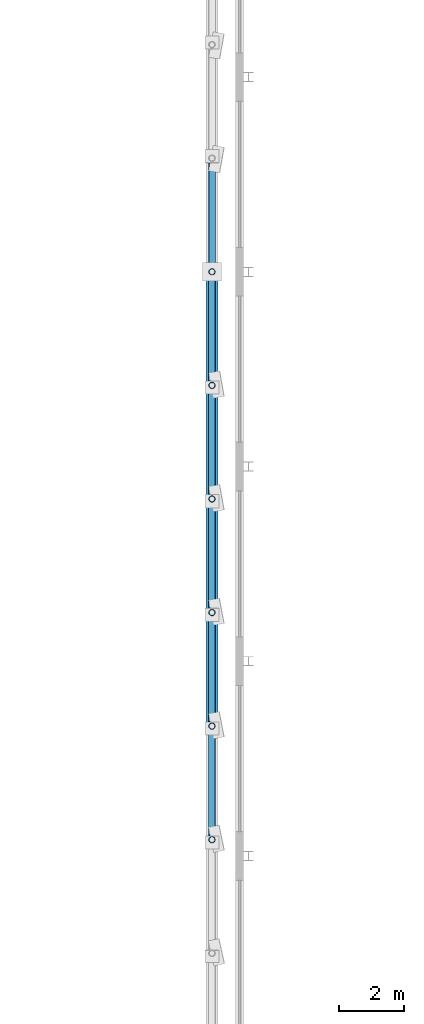
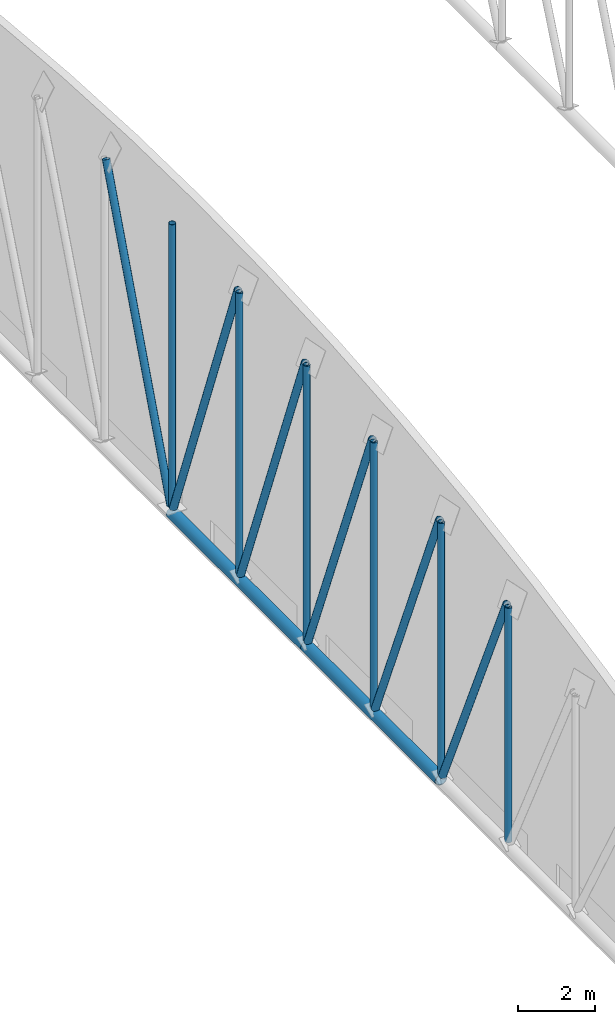
# One storey, part 57 of 196: 14 members.
"""IFC4 building model written with IfcOpenShell, lengths in metres."""

from ifc_helpers import new_model, si_unit, direction, frame, origin, origin_2d, place, context, subcontext, project, spatial, hollow_circle, extrude, material, material_profile, profile_set, type_object, element, save


model = new_model("IFC4")

# Units and contexts
model_context = context("Model", 3, precision=1e-05, world=origin(), true_north=direction((0.0, 1.0)))
body_context = subcontext(model_context, "Body", "Model", "MODEL_VIEW")
ifc_project = project(units=[si_unit("LENGTHUNIT", "METRE"), si_unit("AREAUNIT", "SQUARE_METRE"), si_unit("VOLUMEUNIT", "CUBIC_METRE"), si_unit("PLANEANGLEUNIT", "RADIAN"), si_unit("MASSUNIT", "GRAM", prefix="KILO")], contexts=[model_context])

# Site, building, storey
site_placement = place(None, origin())
site = spatial("IfcSite", under=ifc_project, at=site_placement, CompositionType="ELEMENT")
building_placement = place(site_placement, origin())
building = spatial("IfcBuilding", under=site, at=building_placement, Name="Okhra Congress Centre", CompositionType="ELEMENT")
storey_placement = place(building_placement, frame((0.0, 0.0, 12.0)))
storey = spatial("IfcBuildingStorey", under=building, at=storey_placement, Name="L02", CompositionType="ELEMENT", Elevation=12.0)

# Members
ifc_material = material(Name="Steel S355J2H", Category="steel")
ifc_material_profile_1 = material_profile(ifc_material, hollow_circle(Radius=0.096923828125, WallThickness=0.008056640625, at=origin_2d()), Name="CHS 193.7x8.0")
ifc_profile_set_1 = profile_set([ifc_material_profile_1], Name="Steel S355J2H")
member_type_1 = type_object("IfcMemberType", Name="CHS 193.7x8.0", PredefinedType="POST", material=ifc_profile_set_1)
member_1_placement = place(storey_placement, frame((28.0, 156.5, 1.577880859375), z_axis=(0.0, 0.0, 1.0), x_axis=(1.0, 0.0, 0.0)))
element("IfcMember", 1, at=member_1_placement, inside=storey, type_object=member_type_1, Name="EH.MEM.L02.T1-VER-07", PredefinedType="POST", context=body_context, shape_type="SweptSolid", body=[
    extrude(hollow_circle(Radius=0.096923828125, WallThickness=0.008056640625, at=origin_2d()), origin(), (0.0, 0.0, 1.0), 7.448974609375),
])
member_2_placement = place(storey_placement, frame((28.0, 160.0, 1.577880859375), z_axis=(0.0, 0.0, 1.0), x_axis=(1.0, 0.0, 0.0)))
element("IfcMember", 2, at=member_2_placement, inside=storey, type_object=member_type_1, Name="EH.MEM.L02.T1-VER-08", PredefinedType="POST", context=body_context, shape_type="SweptSolid", body=[
    extrude(hollow_circle(Radius=0.096923828125, WallThickness=0.008056640625, at=origin_2d()), origin(), (0.0, 0.0, 1.0), 8.01708984375),
])
member_3_placement = place(storey_placement, frame((28.0, 163.5, 1.577880859375), z_axis=(0.0, 0.0, 1.0), x_axis=(1.0, 0.0, 0.0)))
element("IfcMember", 3, at=member_3_placement, inside=storey, type_object=member_type_1, Name="EH.MEM.L02.T1-VER-09", PredefinedType="POST", context=body_context, shape_type="SweptSolid", body=[
    extrude(hollow_circle(Radius=0.096923828125, WallThickness=0.008056640625, at=origin_2d()), origin(), (0.0, 0.0, 1.0), 8.456787109375),
])
member_4_placement = place(storey_placement, frame((28.0, 167.0, 1.577880859375), z_axis=(0.0, 0.0, 1.0), x_axis=(1.0, 0.0, 0.0)))
element("IfcMember", 4, at=member_4_placement, inside=storey, type_object=member_type_1, Name="EH.MEM.L02.T1-VER-10", PredefinedType="POST", context=body_context, shape_type="SweptSolid", body=[
    extrude(hollow_circle(Radius=0.096923828125, WallThickness=0.008056640625, at=origin_2d()), origin(), (0.0, 0.0, 1.0), 8.76953125),
])
member_5_placement = place(storey_placement, frame((28.0, 170.5, 1.577880859375), z_axis=(0.0, 0.0, 1.0), x_axis=(1.0, 0.0, 0.0)))
element("IfcMember", 5, at=member_5_placement, inside=storey, type_object=member_type_1, Name="EH.MEM.L02.T1-VER-11", PredefinedType="POST", context=body_context, shape_type="SweptSolid", body=[
    extrude(hollow_circle(Radius=0.096923828125, WallThickness=0.008056640625, at=origin_2d()), origin(), (0.0, 0.0, 1.0), 8.95654296875),
])
member_6_placement = place(storey_placement, frame((28.0, 174.0, 1.577880859375), z_axis=(0.0, 0.0, 1.0), x_axis=(1.0, 0.0, 0.0)))
element("IfcMember", 6, at=member_6_placement, inside=storey, type_object=member_type_1, Name="EH.MEM.L02.T1-VER-12", PredefinedType="POST", context=body_context, shape_type="SweptSolid", body=[
    extrude(hollow_circle(Radius=0.096923828125, WallThickness=0.008056640625, at=origin_2d()), origin(), (0.0, 0.0, 1.0), 9.018798828125),
])
ifc_material_profile_2 = material_profile(ifc_material, hollow_circle(Radius=0.109619140625, WallThickness=0.010009765625, at=origin_2d()), Name="CHS 219.1x10.0")
ifc_profile_set_2 = profile_set([ifc_material_profile_2], Name="Steel S355J2H")
member_type_2 = type_object("IfcMemberType", Name="CHS 219.1x10.0", PredefinedType="BRACE", material=ifc_profile_set_2)
member_7_placement = place(storey_placement, frame((28.0, 156.57763671875, 9.0595703125), z_axis=(0.0, 0.407953800593, -0.913002572057), x_axis=(-1.0, 0.0, 0.0)))
element("IfcMember", 7, at=member_7_placement, inside=storey, type_object=member_type_2, Name="EH.MEM.L02.T1-DIA-07", PredefinedType="BRACE", context=body_context, shape_type="SweptSolid", body=[
    extrude(hollow_circle(Radius=0.109619140625, WallThickness=0.010009765625, at=origin_2d()), origin(), (0.0, 0.0, 1.0), 8.194580078125),
])
member_8_placement = place(storey_placement, frame((28.0, 160.073486328125, 9.6240234375), z_axis=(0.0, 0.384613395842, -0.92307775173), x_axis=(-1.0, 0.0, 0.0)))
element("IfcMember", 8, at=member_8_placement, inside=storey, type_object=member_type_2, Name="EH.MEM.L02.T1-DIA-08", PredefinedType="BRACE", context=body_context, shape_type="SweptSolid", body=[
    extrude(hollow_circle(Radius=0.109619140625, WallThickness=0.010009765625, at=origin_2d()), origin(), (0.0, 0.0, 1.0), 8.716552734375),
])
member_9_placement = place(storey_placement, frame((28.0, 163.570556640625, 10.060546875), z_axis=(0.0, 0.368181952794, -0.929753757528), x_axis=(-1.0, 0.0, 0.0)))
element("IfcMember", 9, at=member_9_placement, inside=storey, type_object=member_type_2, Name="EH.MEM.L02.T1-DIA-09", PredefinedType="BRACE", context=body_context, shape_type="SweptSolid", body=[
    extrude(hollow_circle(Radius=0.109619140625, WallThickness=0.010009765625, at=origin_2d()), origin(), (0.0, 0.0, 1.0), 9.12353515625),
])
member_10_placement = place(storey_placement, frame((28.0, 167.069091796875, 10.37060546875), z_axis=(0.0, 0.357217988255, -0.934021043054), x_axis=(-1.0, 0.0, 0.0)))
element("IfcMember", 10, at=member_10_placement, inside=storey, type_object=member_type_2, Name="EH.MEM.L02.T1-DIA-10", PredefinedType="BRACE", context=body_context, shape_type="SweptSolid", body=[
    extrude(hollow_circle(Radius=0.109619140625, WallThickness=0.010009765625, at=origin_2d()), origin(), (0.0, 0.0, 1.0), 9.413818359375),
])
for number, where, z_axis, x_axis, name in (
    (11, (28.0, 170.568359375, 10.55517578125), (0.0, 0.35098669327, -0.936380446799), (-1.0, 0.0, 0.0), "EH.MEM.L02.T1-DIA-11"),
    (12, (28.0, 177.431640625, 10.55517578125), (0.0, -0.35098669327, -0.936380446799), (1.0, 0.0, 0.0), "EH.MEM.L02.T1-DIA-12"),
):
    element("IfcMember", number, at=place(storey_placement, frame(where, z_axis=z_axis, x_axis=x_axis)), inside=storey, type_object=member_type_2, Name=name, PredefinedType="BRACE", context=body_context, shape_type="SweptSolid", body=[
        extrude(hollow_circle(Radius=0.109619140625, WallThickness=0.010009765625, at=origin_2d()), origin(), (0.0, 0.0, 1.0), 9.587158203125),
    ])
ifc_material_profile_3 = material_profile(ifc_material, hollow_circle(Radius=0.177734375, WallThickness=0.02001953125, at=origin_2d()), Name="CHS 355.6x20.0")
ifc_profile_set_3 = profile_set([ifc_material_profile_3], Name="Steel S355J2H")
member_type_3 = type_object("IfcMemberType", Name="CHS 355.6x20.0", PredefinedType="CHORD", material=ifc_profile_set_3)
for number, where, z_axis, x_axis, name in (
    (13, (28.0, 160.0, 1.39990234375), (0.0, 1.0, 0.0), (-1.0, 0.0, 0.0), "EH.MEM.L02.T1-BOT-05"),
    (14, (28.0, 167.0, 1.39990234375), (0.0, 1.0, 0.0), (-1.0, 0.0, 0.0), "EH.MEM.L02.T1-BOT-06"),
):
    element("IfcMember", number, at=place(storey_placement, frame(where, z_axis=z_axis, x_axis=x_axis)), inside=storey, type_object=member_type_3, Name=name, PredefinedType="CHORD", context=body_context, shape_type="SweptSolid", body=[
        extrude(hollow_circle(Radius=0.177734375, WallThickness=0.02001953125, at=origin_2d()), origin(), (0.0, 0.0, 1.0), 7.0),
    ])

save(model, "model.ifc")
